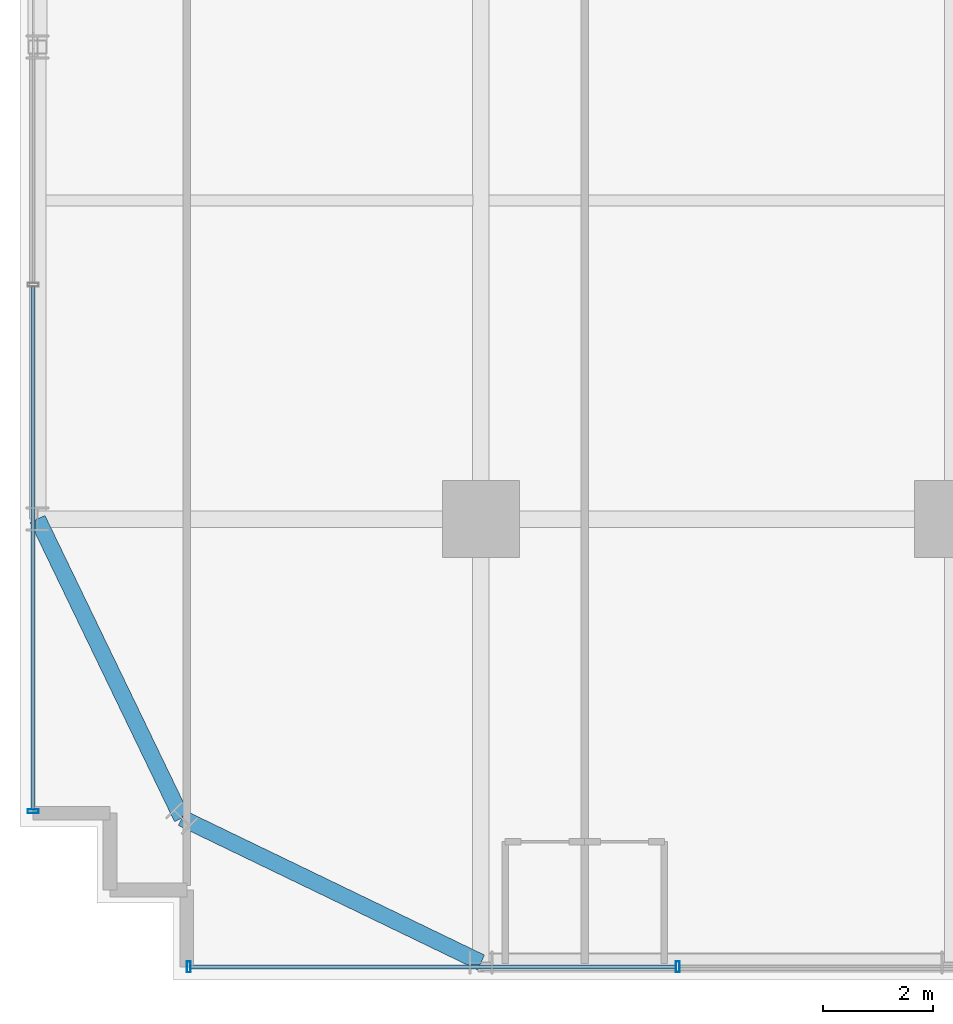
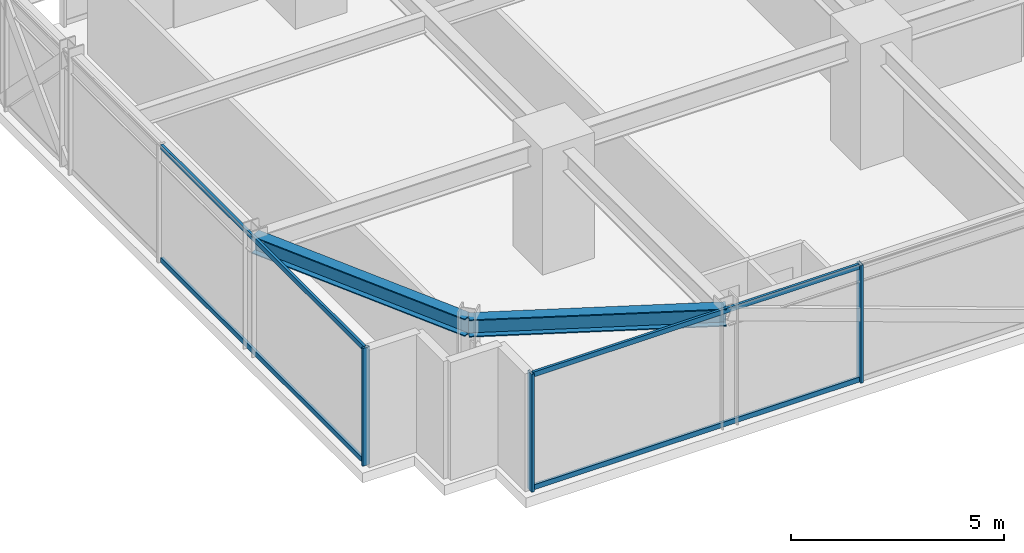
# One storey, part 3 of 41: 7 members, 2 beams, 2 elements without a shape of their own.
"""IFC4 building model written with IfcOpenShell, lengths in metres."""

import ifcopenshell
import ifcopenshell.guid

model = None  # the IFC model being written
_history = None  # IfcOwnerHistory: only IFC2X3 demands one
_inside = {}  # id of a spatial element -> (the spatial element, [elements in it])
_under = {}  # id of a project, library or spatial element -> (it, [spatial elements below it])
_declared = {}  # id of a project -> (the project, [libraries it declares])
_typed = {}  # id of a type object -> (the type object, [elements of that type])
_made_of = {}  # id of a material, layer set ... -> (it, [elements and type objects made of it])


def new_model(schema):
    """Start an empty IFC model of exactly this schema.

    Asked for "IFC4X3", IfcOpenShell would pick the latest addendum, in which some entities
    have other attributes; the version numbers below select the first issue.
    IFC2X3 requires an IfcOwnerHistory on every rooted entity: one is made here for all.
    """
    global model, _history
    if schema == "IFC4X3":
        model = ifcopenshell.file(schema_version=(4, 3, 0, 0))
    else:
        model = ifcopenshell.file(schema=schema)
    _inside.clear()
    _under.clear()
    _declared.clear()
    _typed.clear()
    _made_of.clear()
    _history = None
    if model.schema == "IFC2X3":
        org = make("IfcOrganization", Name="unknown")
        user = make(
            "IfcPersonAndOrganization",
            ThePerson=make("IfcPerson", FamilyName="unknown"),
            TheOrganization=org,
        )
        app = make(
            "IfcApplication",
            ApplicationDeveloper=org,
            Version="unknown",
            ApplicationFullName="unknown",
            ApplicationIdentifier="unknown",
        )
        _history = make(
            "IfcOwnerHistory",
            OwningUser=user,
            OwningApplication=app,
            ChangeAction="ADDED",
            CreationDate=0,
        )
    return model


def make(cls, **values):
    """One entity of the class cls with the attributes given. An attribute that is None is left unset."""
    return model.create_entity(
        cls, **{name: value for name, value in values.items() if value is not None}
    )


def rooted(cls, **values):
    """An entity with a GlobalId (a new one), such as an element, a storey or a relation."""
    return make(cls, GlobalId=ifcopenshell.guid.new(), OwnerHistory=_history, **values)


def si_unit(unit_type, name, prefix=None):
    """IfcSIUnit, for example si_unit("LENGTHUNIT", "METRE", prefix="MILLI")."""
    return make("IfcSIUnit", UnitType=unit_type, Prefix=prefix, Name=name)


def assignment(units):
    """IfcUnitAssignment: the units of a project."""
    return None if units is None else make("IfcUnitAssignment", Units=units)


def point(xyz):
    """IfcCartesianPoint."""
    return None if xyz is None else make("IfcCartesianPoint", Coordinates=xyz)


def direction(xyz):
    """IfcDirection."""
    return None if xyz is None else make("IfcDirection", DirectionRatios=xyz)


def frame(location, z_axis=None, x_axis=None):
    """IfcAxis2Placement3D, a coordinate frame: its origin and axes. An axis left out is left unset."""
    return make(
        "IfcAxis2Placement3D",
        Location=point(location),
        Axis=direction(z_axis),
        RefDirection=direction(x_axis),
    )


def frame_2d(location, x_axis=None):
    """IfcAxis2Placement2D, a coordinate frame in the plane: its origin and x axis."""
    return make(
        "IfcAxis2Placement2D", Location=point(location), RefDirection=direction(x_axis)
    )


def origin():
    """The frame at (0, 0, 0) with its axes left unset."""
    return frame((0.0, 0.0, 0.0))


def origin_2d():
    """The frame at (0, 0) in the plane with its x axis left unset."""
    return frame_2d((0.0, 0.0))


def place(relative_to, where):
    """IfcLocalPlacement: puts the frame where relative to a parent placement (None: the world)."""
    return make(
        "IfcLocalPlacement", PlacementRelTo=relative_to, RelativePlacement=where
    )


def context(
    kind, dimensions, precision=None, world=None, true_north=None, identifier=None
):
    """IfcGeometricRepresentationContext, for example the 3D "Model" context."""
    return make(
        "IfcGeometricRepresentationContext",
        ContextIdentifier=identifier,
        ContextType=kind,
        CoordinateSpaceDimension=dimensions,
        Precision=precision,
        WorldCoordinateSystem=world,
        TrueNorth=true_north,
    )


def subcontext(parent, identifier, kind, view, scale=None):
    """IfcGeometricRepresentationSubContext, for example "Body" below "Model"."""
    return make(
        "IfcGeometricRepresentationSubContext",
        ContextIdentifier=identifier,
        ContextType=kind,
        ParentContext=parent,
        TargetScale=scale,
        TargetView=view,
    )


def project(units=None, contexts=None):
    """IfcProject with its units and contexts."""
    return rooted(
        "IfcProject",
        Name="project",
        RepresentationContexts=contexts,
        UnitsInContext=assignment(units),
    )


def spatial(cls, under=None, at=None, **own):
    """A site, building, storey or space (cls), placed at a placement, below another one or the project."""
    s = rooted(cls, ObjectPlacement=at, **own)
    if under is not None:
        _under.setdefault(under.id(), (under, []))[1].append(s)
    return s


def profile(cls, at=None, kind="AREA", **sizes):
    """A parametric profile (cls). Its sizes go by their IFC names, for example OverallWidth=200.0."""
    return make(cls, ProfileType=kind, Position=at, **sizes)


def hollow_rectangle(**sizes):
    """IfcRectangleHollowProfileDef."""
    return profile("IfcRectangleHollowProfileDef", **sizes)


def i_section(**sizes):
    """IfcIShapeProfileDef."""
    return profile("IfcIShapeProfileDef", **sizes)


def extrude(swept, where, along, depth):
    """IfcExtrudedAreaSolid: the profile swept, set in the frame where, extruded along a direction by depth."""
    return make(
        "IfcExtrudedAreaSolid",
        SweptArea=swept,
        Position=where,
        ExtrudedDirection=direction(along),
        Depth=depth,
    )


def shape(context_of_items, identifier, shape_type, items):
    """IfcShapeRepresentation: the items that make up one representation, for example the "Body"."""
    return make(
        "IfcShapeRepresentation",
        ContextOfItems=context_of_items,
        RepresentationIdentifier=identifier,
        RepresentationType=shape_type,
        Items=items,
    )


def source(mapping_origin, context_of_items, identifier, shape_type, items):
    """IfcRepresentationMap: a shape defined once, which mapped items show again and again."""
    return make(
        "IfcRepresentationMap",
        MappingOrigin=mapping_origin,
        MappedRepresentation=shape(context_of_items, identifier, shape_type, items),
    )


def transform(
    local_origin,
    x_axis=None,
    y_axis=None,
    z_axis=None,
    scale=None,
    scale2=None,
    scale3=None,
    uniform=True,
):
    """IfcCartesianTransformationOperator3D, or its non-uniform kind. x_axis, y_axis, z_axis: its Axis1, 2, 3."""
    if uniform:
        return make(
            "IfcCartesianTransformationOperator3D",
            Axis1=direction(x_axis),
            Axis2=direction(y_axis),
            LocalOrigin=point(local_origin),
            Scale=scale,
            Axis3=direction(z_axis),
        )
    return make(
        "IfcCartesianTransformationOperator3DnonUniform",
        Axis1=direction(x_axis),
        Axis2=direction(y_axis),
        LocalOrigin=point(local_origin),
        Scale=scale,
        Axis3=direction(z_axis),
        Scale2=scale2,
        Scale3=scale3,
    )


def mapped(mapping_source, mapping_target):
    """IfcMappedItem: shows the shape of a source again, moved by a transform."""
    return make(
        "IfcMappedItem", MappingSource=mapping_source, MappingTarget=mapping_target
    )


def material(Name=None, Category=None):
    """IfcMaterial."""
    return make("IfcMaterial", Name=Name, Category=Category)


def material_profile(
    of_material, cross_section, Name=None, Category=None, Priority=None
):
    """IfcMaterialProfile: a cross section and its material."""
    return make(
        "IfcMaterialProfile",
        Name=Name,
        Material=of_material,
        Profile=cross_section,
        Priority=Priority,
        Category=Category,
    )


def profile_set(profiles, Name=None, composite=None):
    """IfcMaterialProfileSet."""
    return make(
        "IfcMaterialProfileSet",
        Name=Name,
        MaterialProfiles=profiles,
        CompositeProfile=composite,
    )


def made_of(thing, what):
    """Note that an element or type object is made of a material, layer set ...; save() writes the relation."""
    if what is not None:
        _made_of.setdefault(what.id(), (what, []))[1].append(thing)
    return thing


def type_object(cls, material=None, **own):
    """A type object (cls), such as IfcWallType, which elements share."""
    return made_of(rooted(cls, **own), material)


def element(
    cls,
    number,
    at=None,
    inside=None,
    cuts=None,
    type_object=None,
    material=None,
    context=None,
    identifier="Body",
    shape_type=None,
    held_by="IfcProductDefinitionShape",
    body=None,
    shapes=None,
    **own,
):
    """One element of the class cls, such as IfcWall. Its Tag is "e" and its number.

    at: its placement. inside: the storey or other place that contains it. cuts: it is an
    opening in that element (IfcRelVoidsElement). A single representation is given by context,
    identifier, shape_type and body (its items); several are given by shapes. held_by: the class
    of the entity that holds the representations. save() writes the other relations.
    """
    e = rooted(cls, Tag="e%d" % number, ObjectPlacement=at, **own)
    if body is not None:
        shapes = [shape(context, identifier, shape_type, body)]
    if shapes is not None:
        e.Representation = make(held_by, Representations=shapes)
    if inside is not None:
        _inside.setdefault(inside.id(), (inside, []))[1].append(e)
    if cuts is not None:
        rooted(
            "IfcRelVoidsElement", RelatingBuildingElement=cuts, RelatedOpeningElement=e
        )
    if type_object is not None:
        _typed.setdefault(type_object.id(), (type_object, []))[1].append(e)
    return made_of(e, material)


def aggregate(whole, parts):
    """IfcRelAggregates: a whole, such as a stair, and the parts it consists of."""
    return rooted("IfcRelAggregates", RelatingObject=whole, RelatedObjects=parts)


def save(model, path):
    """Write the relations noted so far, then the file.

    IfcRelAggregates (storeys below a building ...), IfcRelContainedInSpatialStructure (elements
    in a storey), IfcRelDefinesByType, IfcRelAssociatesMaterial and IfcRelDeclares: one each for
    every whole, place, type object, material and project.
    """
    for whole, parts in _under.values():
        aggregate(whole, parts)
    for where, things in _inside.values():
        rooted(
            "IfcRelContainedInSpatialStructure",
            RelatedElements=things,
            RelatingStructure=where,
        )
    for kind, things in _typed.values():
        rooted("IfcRelDefinesByType", RelatedObjects=things, RelatingType=kind)
    for what, things in _made_of.values():
        rooted("IfcRelAssociatesMaterial", RelatedObjects=things, RelatingMaterial=what)
    for by, libraries in _declared.values():
        rooted("IfcRelDeclares", RelatingContext=by, RelatedDefinitions=libraries)
    model.write(path)


model = new_model("IFC4")

# Units and contexts
model_context = context("Model", 3, precision=1e-05, world=origin(), true_north=direction((0.0, 1.0)))
body_context = subcontext(model_context, "Body", "Model", "MODEL_VIEW")
ifc_project = project(units=[si_unit("LENGTHUNIT", "METRE"), si_unit("AREAUNIT", "SQUARE_METRE"), si_unit("VOLUMEUNIT", "CUBIC_METRE"), si_unit("PLANEANGLEUNIT", "RADIAN"), si_unit("MASSUNIT", "GRAM", prefix="KILO")], contexts=[model_context])

# Site, building, storey
site_placement = place(None, origin())
site = spatial("IfcSite", under=ifc_project, at=site_placement, CompositionType="ELEMENT")
building_placement = place(site_placement, origin())
building = spatial("IfcBuilding", under=site, at=building_placement, Name="Nahalor Promenade Grand Hotel", CompositionType="ELEMENT")
storey_placement = place(building_placement, frame((0.0, 0.0, 54.300048828125)))
storey = spatial("IfcBuildingStorey", under=building, at=storey_placement, Name="L12", CompositionType="ELEMENT", Elevation=54.300048828125)

# Beams
ifc_material_1 = material(Name="Steel S355JR", Category="steel")
ifc_material_profile_1 = material_profile(ifc_material_1, i_section(OverallWidth=0.3, OverallDepth=0.5, WebThickness=0.0145, FlangeThickness=0.028, at=origin_2d()), Name="HEB 500")
ifc_profile_set_1 = profile_set([ifc_material_profile_1], Name="Steel S355JR")
beam_type = type_object("IfcBeamType", Name="Beam-Spandrel-HEB500", PredefinedType="SPANDREL", material=ifc_profile_set_1)
shared_shape_1 = source(origin(), body_context, "Body", "SweptSolid", [
    extrude(i_section(OverallWidth=0.3, OverallDepth=0.5, WebThickness=0.0145, FlangeThickness=0.028, at=origin_2d()), origin(), (0.0, 0.0, 1.0), 6.051513671875),
])
for number, where, z_axis, x_axis, name in (
    (1, (-17.0, -25.080078125, 3.119873046875), (-0.900608818852, 0.434630596492, 0.0), (-0.434630596492, -0.900608818852, 0.0), "BM-L12-SPC-SW-1"),
    (2, (-22.449951171875, -22.449951171875, 3.119873046875), (-0.434630596492, 0.900608818852, 0.0), (-0.900608818852, -0.434630596492, 0.0), "BM-L12-SPC-SW-2"),
):
    element("IfcBeam", number, at=place(storey_placement, frame(where, z_axis=z_axis, x_axis=x_axis)), inside=storey, type_object=beam_type, Name=name, PredefinedType="SPANDREL", context=body_context, shape_type="MappedRepresentation", body=[
        mapped(shared_shape_1, transform((0.0, 0.0, 0.0), scale=1.0)),
    ])

# Curtain wall, members
ifc_material_2 = material(Name="Anodised Bronze Aluminium EN AW-6063 T6", Category="aluminium")
curtain_wall_type = type_object("IfcCurtainWallType", Name="CW3 Elliptical-Void Collar Unitised Curtain Wall", PredefinedType="USERDEFINED", material=ifc_material_2)
curtain_wall_1_placement = place(storey_placement, origin())
curtain_wall_1 = element("IfcCurtainWall", 3, at=curtain_wall_1_placement, inside=storey, type_object=curtain_wall_type, Name="L12 Curtain Wall CW-L12-S-1", ObjectType="UNITISED_CURTAIN_WALL", PredefinedType="USERDEFINED")
ifc_material_profile_2 = material_profile(ifc_material_2, hollow_rectangle(XDim=0.07, YDim=0.2, WallThickness=0.005, at=origin_2d()), Name="CWM 70x200x5")
ifc_profile_set_2 = profile_set([ifc_material_profile_2], Name="Anodised Bronze Aluminium EN AW-6063 T6")
member_type_1 = type_object("IfcMemberType", Name="CWM3 Void Collar Mullion 70x200", PredefinedType="MULLION", material=ifc_profile_set_2)
shared_shape_2 = source(origin(), body_context, "Body", "SweptSolid", [
    extrude(hollow_rectangle(XDim=0.07, YDim=0.2, WallThickness=0.005, at=origin_2d()), origin(), (0.0, 0.0, 1.0), 3.369873046875),
])
member_1_placement = place(storey_placement, frame((-22.324951171875, -25.159912109375, 0.0), z_axis=(0.0, 0.0, 1.0), x_axis=(1.0, 0.0, 0.0)))
member_1 = element("IfcMember", 4, at=member_1_placement, type_object=member_type_1, Name="CW-L12-S-1 Mullion 0", PredefinedType="MULLION", context=body_context, shape_type="MappedRepresentation", body=[
    mapped(shared_shape_2, transform((0.0, 0.0, 0.0), scale=1.0)),
])
member_2_placement = place(storey_placement, frame((-13.416015625, -25.159912109375, 0.0), z_axis=(0.0, 0.0, 1.0), x_axis=(1.0, 0.0, 0.0)))
member_2 = element("IfcMember", 5, at=member_2_placement, type_object=member_type_1, Name="CW-L12-S-1 Mullion 1", PredefinedType="MULLION", context=body_context, shape_type="MappedRepresentation", body=[
    mapped(shared_shape_2, transform((0.0, 0.0, 0.0), scale=1.0)),
])

# Curtain wall, member
curtain_wall_2_placement = place(storey_placement, origin())
curtain_wall_2 = element("IfcCurtainWall", 6, at=curtain_wall_2_placement, inside=storey, type_object=curtain_wall_type, Name="L12 Curtain Wall CW-L12-W-1", ObjectType="UNITISED_CURTAIN_WALL", PredefinedType="USERDEFINED")
member_3_placement = place(storey_placement, frame((-25.159912109375, -22.324951171875, 0.0), z_axis=(0.0, 0.0, 1.0), x_axis=(0.0, 1.0, 0.0)))
member_3 = element("IfcMember", 7, at=member_3_placement, type_object=member_type_1, Name="CW-L12-W-1 Mullion 0", PredefinedType="MULLION", context=body_context, shape_type="MappedRepresentation", body=[
    mapped(shared_shape_2, transform((0.0, 0.0, 0.0), scale=1.0)),
])

# Member
ifc_material_profile_3 = material_profile(ifc_material_2, hollow_rectangle(XDim=0.07, YDim=0.14, WallThickness=0.004, at=origin_2d()), Name="CWT 70x140x4")
ifc_profile_set_3 = profile_set([ifc_material_profile_3], Name="Anodised Bronze Aluminium EN AW-6063 T6")
member_type_2 = type_object("IfcMemberType", Name="CWT3 Void Collar Transom 70x140", PredefinedType="USERDEFINED", material=ifc_profile_set_3)
shared_shape_3 = source(origin(), body_context, "Body", "SweptSolid", [
    extrude(hollow_rectangle(XDim=0.07, YDim=0.14, WallThickness=0.004, at=origin_2d()), origin(), (0.0, 0.0, 1.0), 8.839111328125),
])
member_4_placement = place(storey_placement, frame((-22.2900390625, -25.159912109375, 0.070068359375), z_axis=(1.0, 0.0, 0.0), x_axis=(0.0, 1.0, 0.0)))
member_4 = element("IfcMember", 8, at=member_4_placement, type_object=member_type_2, Name="CW-L12-S-1 Transom 0-0", ObjectType="TRANSOM", PredefinedType="USERDEFINED", context=body_context, shape_type="MappedRepresentation", body=[
    mapped(shared_shape_3, transform((0.0, 0.0, 0.0), scale=1.0)),
])

member_5_placement = place(storey_placement, frame((-22.2900390625, -25.159912109375, 3.300048828125), z_axis=(1.0, 0.0, 0.0), x_axis=(0.0, 1.0, 0.0)))
member_5 = element("IfcMember", 9, at=member_5_placement, type_object=member_type_2, Name="CW-L12-S-1 Transom 0-1", ObjectType="TRANSOM", PredefinedType="USERDEFINED", context=body_context, shape_type="MappedRepresentation", body=[
    mapped(shared_shape_3, transform((0.0, 0.0, 0.0), scale=1.0)),
])

aggregate(curtain_wall_1, [member_1, member_2, member_4, member_5])

shared_shape_4 = source(origin(), body_context, "Body", "SweptSolid", [
    extrude(hollow_rectangle(XDim=0.07, YDim=0.14, WallThickness=0.004, at=origin_2d()), origin(), (0.0, 0.0, 1.0), 9.525146484375),
])
member_6_placement = place(storey_placement, frame((-25.159912109375, -22.2900390625, 0.070068359375), z_axis=(0.0, 1.0, 0.0), x_axis=(-1.0, 0.0, 0.0)))
member_6 = element("IfcMember", 10, at=member_6_placement, type_object=member_type_2, Name="CW-L12-W-1 Transom 0-0", ObjectType="TRANSOM", PredefinedType="USERDEFINED", context=body_context, shape_type="MappedRepresentation", body=[
    mapped(shared_shape_4, transform((0.0, 0.0, 0.0), scale=1.0)),
])

member_7_placement = place(storey_placement, frame((-25.159912109375, -22.2900390625, 3.300048828125), z_axis=(0.0, 1.0, 0.0), x_axis=(-1.0, 0.0, 0.0)))
member_7 = element("IfcMember", 11, at=member_7_placement, type_object=member_type_2, Name="CW-L12-W-1 Transom 0-1", ObjectType="TRANSOM", PredefinedType="USERDEFINED", context=body_context, shape_type="MappedRepresentation", body=[
    mapped(shared_shape_4, transform((0.0, 0.0, 0.0), scale=1.0)),
])

aggregate(curtain_wall_2, [member_3, member_6, member_7])

save(model, "model.ifc")
